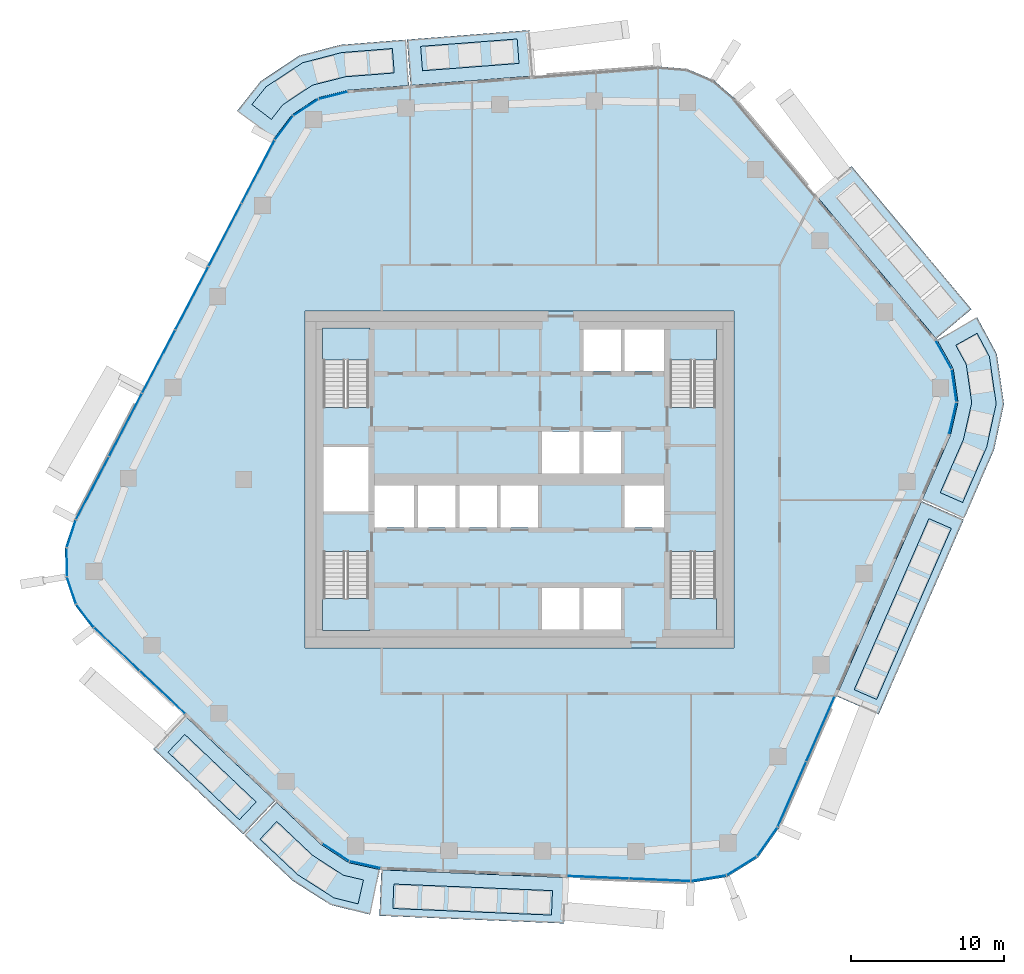
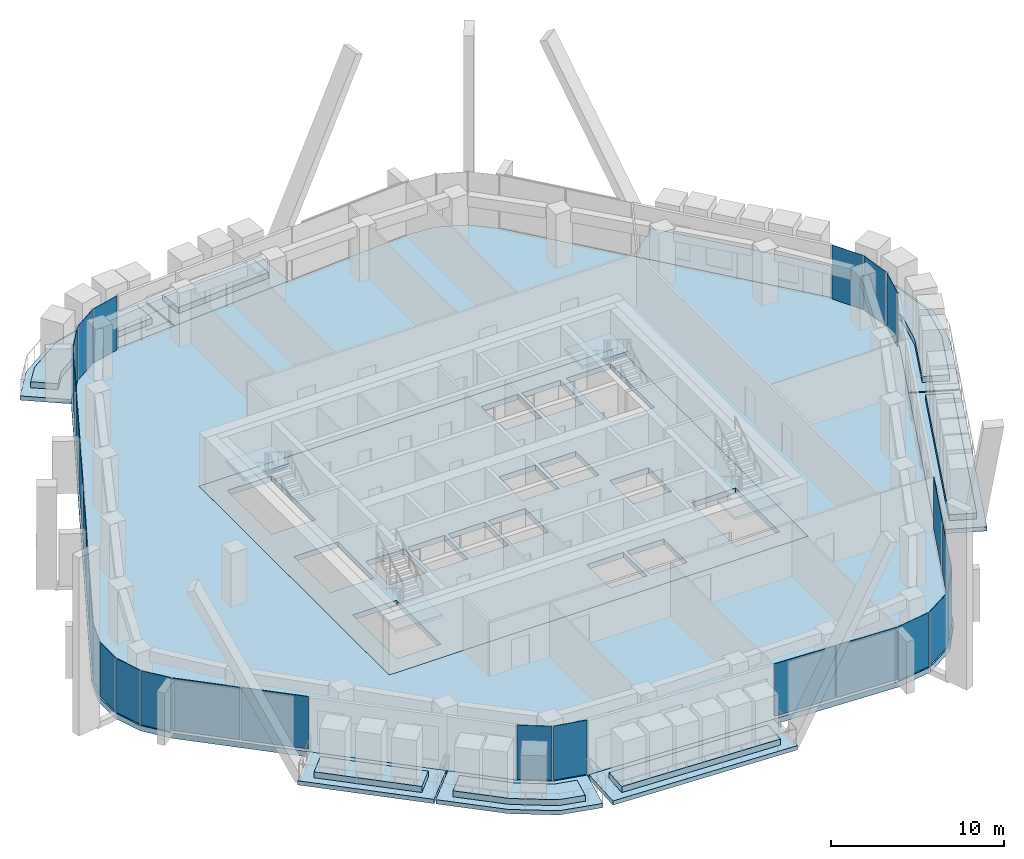
# One storey, part 9 of 20: 27 plates, 21 slabs, 13 elements without a shape of their own.
"""IFC4 building model written with IfcOpenShell, lengths in metres."""

from ifc_helpers import new_model, si_unit, direction, frame, origin, origin_2d, place, context, subcontext, project, spatial, polyline, rectangle, outline, extrude, material, layer, layer_set, type_object, element, aggregate, save


model = new_model("IFC4")

# Units and contexts
model_context = context("Model", 3, precision=1e-05, world=origin(), true_north=direction((0.0, 1.0)))
body_context = subcontext(model_context, "Body", "Model", "MODEL_VIEW")
ifc_project = project(units=[si_unit("LENGTHUNIT", "METRE"), si_unit("AREAUNIT", "SQUARE_METRE"), si_unit("VOLUMEUNIT", "CUBIC_METRE"), si_unit("PLANEANGLEUNIT", "RADIAN"), si_unit("MASSUNIT", "GRAM", prefix="KILO")], contexts=[model_context])

# Site, building, storey
site_placement = place(None, origin())
site = spatial("IfcSite", under=ifc_project, at=site_placement, CompositionType="ELEMENT")
building_placement = place(site_placement, origin())
building = spatial("IfcBuilding", under=site, at=building_placement, Name="Dongbaek Canopy Tower", CompositionType="ELEMENT")
storey_placement = place(building_placement, frame((0.0, 0.0, 241.199951171875)))
storey = spatial("IfcBuildingStorey", under=building, at=storey_placement, Name="L50", CompositionType="ELEMENT", Elevation=241.199951171875)

# Slabs
ifc_material_1 = material(Name="Concrete C40/50", Category="concrete")
ifc_layer_1 = layer(ifc_material_1, 0.300048828125)
ifc_layer_set_1 = layer_set([ifc_layer_1], Name="Balcony slab 300")
slab_type_1 = type_object("IfcSlabType", Name="Balcony slab 300", PredefinedType="FLOOR", material=ifc_layer_set_1)
slab_1_placement = place(storey_placement, frame((0.0, 0.0, -0.300048828125)))
element("IfcSlab", 1, at=slab_1_placement, inside=storey, type_object=slab_type_1, Name="Balcony L50 1", PredefinedType="FLOOR", context=body_context, shape_type="SweptSolid", body=[
    extrude(outline(polyline([(27.212646484375, 9.186279296875), (19.3857421875, 18.523681640625), (21.684814453125, 20.450927734375), (29.51171875, 11.11328125), (27.212646484375, 9.186279296875)])), origin(), (0.0, 0.0, 1.0), 0.300048828125),
])
slab_2_placement = place(storey_placement, frame((0.0, 0.0, -0.300048828125)))
element("IfcSlab", 2, at=slab_2_placement, inside=storey, type_object=slab_type_1, Name="Balcony L50 2", PredefinedType="FLOOR", context=body_context, shape_type="SweptSolid", body=[
    extrude(outline(polyline([(0.887451171875, 26.3408203125), (-7.11083984375, 25.72705078125), (-7.34033203125, 28.71826171875), (0.657958984375, 29.33203125), (0.887451171875, 26.3408203125)])), origin(), (0.0, 0.0, 1.0), 0.300048828125),
])
slab_3_placement = place(storey_placement, frame((0.0, 0.0, -0.300048828125)))
element("IfcSlab", 3, at=slab_3_placement, inside=storey, type_object=slab_type_1, Name="Balcony L50 7", PredefinedType="FLOOR", context=body_context, shape_type="SweptSolid", body=[
    extrude(outline(polyline([(-7.21044921875, 25.719482421875), (-11.209716796875, 25.412353515625), (-13.1640625, 24.92333984375), (-14.84619140625, 23.814697265625), (-16.036376953125, 22.251708984375), (-18.423095703125, 24.069091796875), (-16.89404296875, 26.007080078125), (-14.37060546875, 27.669921875), (-11.6904296875, 28.373779296875), (-7.43994140625, 28.710693359375), (-7.21044921875, 25.719482421875)])), origin(), (0.0, 0.0, 1.0), 0.300048828125),
])
slab_4_placement = place(storey_placement, frame((0.0, 0.0, -0.300048828125)))
element("IfcSlab", 4, at=slab_4_placement, inside=storey, type_object=slab_type_1, Name="Balcony L50 3", PredefinedType="FLOOR", context=body_context, shape_type="SweptSolid", body=[
    extrude(outline(polyline([(-21.855224609375, -15.42236328125), (-15.96044921875, -21.0), (-18.0224609375, -23.17919921875), (-23.917236328125, -17.601318359375), (-21.855224609375, -15.42236328125)])), origin(), (0.0, 0.0, 1.0), 0.300048828125),
])
slab_5_placement = place(storey_placement, frame((0.0, 0.0, -0.300048828125)))
element("IfcSlab", 5, at=slab_5_placement, inside=storey, type_object=slab_type_1, Name="Balcony L50 8", PredefinedType="FLOOR", context=body_context, shape_type="SweptSolid", body=[
    extrude(outline(polyline([(-15.887939453125, -21.06884765625), (-12.9404296875, -23.857666015625), (-11.151123046875, -25.026611328125), (-9.1142578125, -25.4833984375), (-9.770751953125, -28.41064453125), (-12.318359375, -27.790283203125), (-14.79931640625, -26.21240234375), (-17.94970703125, -23.247802734375), (-15.887939453125, -21.06884765625)])), origin(), (0.0, 0.0, 1.0), 0.300048828125),
])
slab_6_placement = place(storey_placement, frame((0.0, 0.0, -0.300048828125)))
element("IfcSlab", 6, at=slab_6_placement, inside=storey, type_object=slab_type_1, Name="Balcony L50 4", PredefinedType="FLOOR", context=body_context, shape_type="SweptSolid", body=[
    extrude(outline(polyline([(-9.015625, -25.496337890625), (3.043701171875, -25.9970703125), (2.91943359375, -28.994384765625), (-9.14013671875, -28.493896484375), (-9.015625, -25.496337890625)])), origin(), (0.0, 0.0, 1.0), 0.300048828125),
])
slab_7_placement = place(storey_placement, frame((0.0, 0.0, -0.300048828125)))
element("IfcSlab", 7, at=slab_7_placement, inside=storey, type_object=slab_type_1, Name="Balcony L50 5", PredefinedType="FLOOR", context=body_context, shape_type="SweptSolid", body=[
    extrude(outline(polyline([(20.69970703125, -14.152099609375), (26.258544921875, -1.426513671875), (29.007568359375, -2.62744140625), (23.448974609375, -15.352783203125), (20.69970703125, -14.152099609375)])), origin(), (0.0, 0.0, 1.0), 0.300048828125),
])
slab_8_placement = place(storey_placement, frame((0.0, 0.0, -0.300048828125)))
element("IfcSlab", 8, at=slab_8_placement, inside=storey, type_object=slab_type_1, Name="Balcony L50 6", PredefinedType="FLOOR", context=body_context, shape_type="SweptSolid", body=[
    extrude(outline(polyline([(26.298583984375, -1.334716796875), (28.144775390625, 2.891845703125), (28.64111328125, 5.04150390625), (28.326904296875, 7.225341796875), (27.269287109375, 9.104248046875), (29.883544921875, 10.575927734375), (31.167236328125, 8.191162109375), (31.638427734375, 4.91552734375), (30.9931640625, 1.94970703125), (29.047607421875, -2.53564453125), (26.298583984375, -1.334716796875)])), origin(), (0.0, 0.0, 1.0), 0.300048828125),
])

# Curtain wall, plates
ifc_material_2 = material(Name="Aluminium 6063-T6 pale anodised", Category="aluminium")
ifc_layer_2 = layer(ifc_material_2, 0.199951171875)
ifc_layer_set_2 = layer_set([ifc_layer_2], Name="CW-1 unitised tower curtain wall")
curtain_wall_type = type_object("IfcCurtainWallType", Name="CW-1 unitised tower curtain wall", PredefinedType="NOTDEFINED", material=ifc_layer_set_2)
curtain_wall_1_placement = place(storey_placement, origin())
curtain_wall_1 = element("IfcCurtainWall", 9, at=curtain_wall_1_placement, inside=storey, type_object=curtain_wall_type, Name="CW-1 curtain wall K0.1", PredefinedType="NOTDEFINED")
ifc_material_3 = material(Name="Clear laminated glass", Category="glass")
ifc_layer_3 = layer(ifc_material_3, 0.028076171875)
ifc_layer_set_3 = layer_set([ifc_layer_3], Name="CW-1 glazed panel 28")
plate_type = type_object("IfcPlateType", Name="CW-1 glazed panel 28", PredefinedType="CURTAIN_PANEL", material=ifc_layer_set_3)
plate_1_placement = place(storey_placement, frame((28.29443359375, 3.984619140625, 0.0), z_axis=(0.0, 0.0, 1.0), x_axis=(0.224987160304, 0.974361728363, 0.0)))
plate_1 = element("IfcPlate", 10, at=plate_1_placement, type_object=plate_type, Name="CW-1 panel K0.1.1.1", PredefinedType="CURTAIN_PANEL", context=body_context, shape_type="SweptSolid", body=[
    extrude(rectangle(XDim=2.09423828125, YDim=0.028076171875, at=origin_2d()), origin(), (0.0, 0.0, 1.0), 3.820068359375),
])
plate_2_placement = place(storey_placement, frame((28.385009765625, 6.119140625, 0.0), z_axis=(0.0, 0.0, 1.0), x_axis=(-0.142403079882, 0.989808750638, 0.0)))
plate_2 = element("IfcPlate", 11, at=plate_2_placement, type_object=plate_type, Name="CW-1 panel K0.1.2.1", PredefinedType="CURTAIN_PANEL", context=body_context, shape_type="SweptSolid", body=[
    extrude(rectangle(XDim=2.0849609375, YDim=0.028076171875, at=origin_2d()), origin(), (0.0, 0.0, 1.0), 3.820068359375),
])
plate_3_placement = place(storey_placement, frame((27.6962890625, 8.1416015625, 0.0), z_axis=(0.0, 0.0, 1.0), x_axis=(-0.490538401675, 0.871419575453, 0.0)))
plate_3 = element("IfcPlate", 12, at=plate_3_placement, type_object=plate_type, Name="CW-1 panel K0.1.3.1", PredefinedType="CURTAIN_PANEL", context=body_context, shape_type="SweptSolid", body=[
    extrude(rectangle(XDim=2.09423828125, YDim=0.028076171875, at=origin_2d()), origin(), (0.0, 0.0, 1.0), 3.820068359375),
])
aggregate(curtain_wall_1, [plate_1, plate_2, plate_3])

curtain_wall_2_placement = place(storey_placement, origin())
curtain_wall_2 = element("IfcCurtainWall", 13, at=curtain_wall_2_placement, inside=storey, type_object=curtain_wall_type, Name="CW-1 curtain wall K2.1", PredefinedType="NOTDEFINED")
plate_4_placement = place(storey_placement, frame((-12.158447265625, 25.072021484375, 0.0), z_axis=(0.0, 0.0, 1.0), x_axis=(-0.970070460405, -0.242823602331, 0.0)))
plate_4 = element("IfcPlate", 14, at=plate_4_placement, type_object=plate_type, Name="CW-1 panel K2.1.1.1", PredefinedType="CURTAIN_PANEL", context=body_context, shape_type="SweptSolid", body=[
    extrude(rectangle(XDim=1.905029296875, YDim=0.028076171875, at=origin_2d()), origin(), (0.0, 0.0, 1.0), 3.820068359375),
])
plate_5_placement = place(storey_placement, frame((-13.949951171875, 24.28564453125, 0.0), z_axis=(0.0, 0.0, 1.0), x_axis=(-0.835012797556, -0.550230522525, 0.0)))
plate_5 = element("IfcPlate", 15, at=plate_5_placement, type_object=plate_type, Name="CW-1 panel K2.1.2.1", PredefinedType="CURTAIN_PANEL", context=body_context, shape_type="SweptSolid", body=[
    extrude(rectangle(XDim=1.896484375, YDim=0.028076171875, at=origin_2d()), origin(), (0.0, 0.0, 1.0), 3.820068359375),
])
plate_6_placement = place(storey_placement, frame((-15.37939453125, 22.949462890625, 0.0), z_axis=(0.0, 0.0, 1.0), x_axis=(-0.605816136858, -0.795604680933, 0.0)))
plate_6 = element("IfcPlate", 16, at=plate_6_placement, type_object=plate_type, Name="CW-1 panel K2.1.3.1", PredefinedType="CURTAIN_PANEL", context=body_context, shape_type="SweptSolid", body=[
    extrude(rectangle(XDim=1.905029296875, YDim=0.028076171875, at=origin_2d()), origin(), (0.0, 0.0, 1.0), 3.820068359375),
])
aggregate(curtain_wall_2, [plate_4, plate_5, plate_6])

curtain_wall_3_placement = place(storey_placement, origin())
curtain_wall_3 = element("IfcCurtainWall", 17, at=curtain_wall_3_placement, inside=storey, type_object=curtain_wall_type, Name="CW-1 curtain wall F2.1", PredefinedType="NOTDEFINED")
plate_7_placement = place(storey_placement, frame((-17.06201171875, 20.093994140625, 0.1201171875), z_axis=(0.0, 0.0, 1.0), x_axis=(-0.463648721803, -0.886019109709, 0.0)))
plate_7 = element("IfcPlate", 18, at=plate_7_placement, type_object=plate_type, Name="CW-1 panel F2.1.1.1", PredefinedType="CURTAIN_PANEL", context=body_context, shape_type="SweptSolid", body=[
    extrude(rectangle(XDim=4.5751953125, YDim=0.028076171875, at=origin_2d()), origin(), (0.0, 0.0, 1.0), 3.699951171875),
])
plate_8_placement = place(storey_placement, frame((-19.22412109375, 15.962158203125, 0.1201171875), z_axis=(0.0, 0.0, 1.0), x_axis=(-0.463648721803, -0.886019109709, 0.0)))
plate_8 = element("IfcPlate", 19, at=plate_8_placement, type_object=plate_type, Name="CW-1 panel F2.1.2.1", PredefinedType="CURTAIN_PANEL", context=body_context, shape_type="SweptSolid", body=[
    extrude(rectangle(XDim=4.58349609375, YDim=0.028076171875, at=origin_2d()), origin(), (0.0, 0.0, 1.0), 3.699951171875),
])
plate_9_placement = place(storey_placement, frame((-21.388427734375, 11.82666015625, 0.1201171875), z_axis=(0.0, 0.0, 1.0), x_axis=(-0.463648721803, -0.886019109709, 0.0)))
plate_9 = element("IfcPlate", 20, at=plate_9_placement, type_object=plate_type, Name="CW-1 panel F2.1.3.1", PredefinedType="CURTAIN_PANEL", context=body_context, shape_type="SweptSolid", body=[
    extrude(rectangle(XDim=4.58349609375, YDim=0.028076171875, at=origin_2d()), origin(), (0.0, 0.0, 1.0), 3.699951171875),
])
plate_10_placement = place(storey_placement, frame((-23.552490234375, 7.691162109375, 0.1201171875), z_axis=(0.0, 0.0, 1.0), x_axis=(-0.463648721803, -0.886019109709, 0.0)))
plate_10 = element("IfcPlate", 21, at=plate_10_placement, type_object=plate_type, Name="CW-1 panel F2.1.4.1", PredefinedType="CURTAIN_PANEL", context=body_context, shape_type="SweptSolid", body=[
    extrude(rectangle(XDim=4.58349609375, YDim=0.028076171875, at=origin_2d()), origin(), (0.0, 0.0, 1.0), 3.699951171875),
])
plate_11_placement = place(storey_placement, frame((-25.716552734375, 3.5556640625, 0.1201171875), z_axis=(0.0, 0.0, 1.0), x_axis=(-0.463648721803, -0.886019109709, 0.0)))
plate_11 = element("IfcPlate", 22, at=plate_11_placement, type_object=plate_type, Name="CW-1 panel F2.1.5.1", PredefinedType="CURTAIN_PANEL", context=body_context, shape_type="SweptSolid", body=[
    extrude(rectangle(XDim=4.58349609375, YDim=0.028076171875, at=origin_2d()), origin(), (0.0, 0.0, 1.0), 3.699951171875),
])
plate_12_placement = place(storey_placement, frame((-27.87890625, -0.576416015625, 0.1201171875), z_axis=(0.0, 0.0, 1.0), x_axis=(-0.463648721803, -0.886019109709, 0.0)))
plate_12 = element("IfcPlate", 23, at=plate_12_placement, type_object=plate_type, Name="CW-1 panel F2.1.6.1", PredefinedType="CURTAIN_PANEL", context=body_context, shape_type="SweptSolid", body=[
    extrude(rectangle(XDim=4.575439453125, YDim=0.028076171875, at=origin_2d()), origin(), (0.0, 0.0, 1.0), 3.699951171875),
])
aggregate(curtain_wall_3, [plate_7, plate_8, plate_9, plate_10, plate_11, plate_12])

curtain_wall_4_placement = place(storey_placement, origin())
curtain_wall_4 = element("IfcCurtainWall", 24, at=curtain_wall_4_placement, inside=storey, type_object=curtain_wall_type, Name="CW-1 curtain wall K3.1", PredefinedType="NOTDEFINED")
plate_13_placement = place(storey_placement, frame((-29.259521484375, -3.546875, 0.0), z_axis=(0.0, 0.0, 1.0), x_axis=(-0.314772787668, -0.949167051758, 0.0)))
plate_13 = element("IfcPlate", 25, at=plate_13_placement, type_object=plate_type, Name="CW-1 panel K3.1.1.1", PredefinedType="CURTAIN_PANEL", context=body_context, shape_type="SweptSolid", body=[
    extrude(rectangle(XDim=1.82568359375, YDim=0.028076171875, at=origin_2d()), origin(), (0.0, 0.0, 1.0), 3.820068359375),
])
plate_14_placement = place(storey_placement, frame((-29.556640625, -5.404052734375, 0.0), z_axis=(0.0, 0.0, 1.0), x_axis=(0.003565980648, -0.999993641871, 0.0)))
plate_14 = element("IfcPlate", 26, at=plate_14_placement, type_object=plate_type, Name="CW-1 panel K3.1.2.1", PredefinedType="CURTAIN_PANEL", context=body_context, shape_type="SweptSolid", body=[
    extrude(rectangle(XDim=1.817626953125, YDim=0.028076171875, at=origin_2d()), origin(), (0.0, 0.0, 1.0), 3.820068359375),
])
plate_15_placement = place(storey_placement, frame((-29.24755859375, -7.255126953125, 0.0), z_axis=(0.0, 0.0, 1.0), x_axis=(0.321534161849, -0.946897979068, 0.0)))
plate_15 = element("IfcPlate", 27, at=plate_15_placement, type_object=plate_type, Name="CW-1 panel K3.1.3.1", PredefinedType="CURTAIN_PANEL", context=body_context, shape_type="SweptSolid", body=[
    extrude(rectangle(XDim=1.817626953125, YDim=0.028076171875, at=origin_2d()), origin(), (0.0, 0.0, 1.0), 3.820068359375),
])
plate_16_placement = place(storey_placement, frame((-28.36328125, -8.914794921875, 0.0), z_axis=(0.0, 0.0, 1.0), x_axis=(0.606087576122, -0.795397919328, 0.0)))
plate_16 = element("IfcPlate", 28, at=plate_16_placement, type_object=plate_type, Name="CW-1 panel K3.1.4.1", PredefinedType="CURTAIN_PANEL", context=body_context, shape_type="SweptSolid", body=[
    extrude(rectangle(XDim=1.82568359375, YDim=0.028076171875, at=origin_2d()), origin(), (0.0, 0.0, 1.0), 3.820068359375),
])
aggregate(curtain_wall_4, [plate_13, plate_14, plate_15, plate_16])

curtain_wall_5_placement = place(storey_placement, origin())
curtain_wall_5 = element("IfcCurtainWall", 29, at=curtain_wall_5_placement, inside=storey, type_object=curtain_wall_type, Name="CW-1 curtain wall F3.1", PredefinedType="NOTDEFINED")
plate_17_placement = place(storey_placement, frame((-26.29541015625, -11.083251953125, 0.1201171875), z_axis=(0.0, 0.0, 1.0), x_axis=(0.72636898402, -0.687304953463, 0.0)))
plate_17 = element("IfcPlate", 30, at=plate_17_placement, type_object=plate_type, Name="CW-1 panel F3.1.1.1", PredefinedType="CURTAIN_PANEL", context=body_context, shape_type="SweptSolid", body=[
    extrude(rectangle(XDim=4.015625, YDim=0.028076171875, at=origin_2d()), origin(), (0.0, 0.0, 1.0), 3.699951171875),
])
plate_18_placement = place(storey_placement, frame((-23.314697265625, -13.903564453125, 0.1201171875), z_axis=(0.0, 0.0, 1.0), x_axis=(0.72636898402, -0.687304953463, 0.0)))
plate_18 = element("IfcPlate", 31, at=plate_18_placement, type_object=plate_type, Name="CW-1 panel F3.1.2.1", PredefinedType="CURTAIN_PANEL", context=body_context, shape_type="SweptSolid", body=[
    extrude(rectangle(XDim=4.023681640625, YDim=0.028076171875, at=origin_2d()), origin(), (0.0, 0.0, 1.0), 3.699951171875),
])
aggregate(curtain_wall_5, [plate_17, plate_18])

curtain_wall_6_placement = place(storey_placement, origin())
curtain_wall_6 = element("IfcCurtainWall", 32, at=curtain_wall_6_placement, inside=storey, type_object=curtain_wall_type, Name="CW-1 curtain wall K4.1", PredefinedType="NOTDEFINED")
plate_19_placement = place(storey_placement, frame((-11.994873046875, -24.35595703125, 0.0), z_axis=(0.0, 0.0, 1.0), x_axis=(0.837173027696, -0.546938133338, 0.0)))
plate_19 = element("IfcPlate", 33, at=plate_19_placement, type_object=plate_type, Name="CW-1 panel K4.1.1.1", PredefinedType="CURTAIN_PANEL", context=body_context, shape_type="SweptSolid", body=[
    extrude(rectangle(XDim=2.0263671875, YDim=0.028076171875, at=origin_2d()), origin(), (0.0, 0.0, 1.0), 3.820068359375),
])
plate_20_placement = place(storey_placement, frame((-10.08203125, -25.163818359375, 0.0), z_axis=(0.0, 0.0, 1.0), x_axis=(0.975774438515, -0.218778986972, 0.0)))
plate_20 = element("IfcPlate", 34, at=plate_20_placement, type_object=plate_type, Name="CW-1 panel K4.1.2.1", PredefinedType="CURTAIN_PANEL", context=body_context, shape_type="SweptSolid", body=[
    extrude(rectangle(XDim=2.0263671875, YDim=0.028076171875, at=origin_2d()), origin(), (0.0, 0.0, 1.0), 3.820068359375),
])
aggregate(curtain_wall_6, [plate_19, plate_20])

curtain_wall_7_placement = place(storey_placement, origin())
curtain_wall_7 = element("IfcCurtainWall", 35, at=curtain_wall_7_placement, inside=storey, type_object=curtain_wall_type, Name="CW-1 curtain wall F4.1", PredefinedType="NOTDEFINED")
plate_21_placement = place(storey_placement, frame((5.12451171875, -25.9833984375, 0.1201171875), z_axis=(0.0, 0.0, 1.0), x_axis=(0.999139279832, -0.041481315027, 0.0)))
plate_21 = element("IfcPlate", 36, at=plate_21_placement, type_object=plate_type, Name="CW-1 panel F4.1.1.1", PredefinedType="CURTAIN_PANEL", context=body_context, shape_type="SweptSolid", body=[
    extrude(rectangle(XDim=3.97265625, YDim=0.028076171875, at=origin_2d()), origin(), (0.0, 0.0, 1.0), 3.699951171875),
])
plate_22_placement = place(storey_placement, frame((9.172607421875, -26.1513671875, 0.1201171875), z_axis=(0.0, 0.0, 1.0), x_axis=(0.999139279832, -0.041481315027, 0.0)))
plate_22 = element("IfcPlate", 37, at=plate_22_placement, type_object=plate_type, Name="CW-1 panel F4.1.2.1", PredefinedType="CURTAIN_PANEL", context=body_context, shape_type="SweptSolid", body=[
    extrude(rectangle(XDim=3.962646484375, YDim=0.028076171875, at=origin_2d()), origin(), (0.0, 0.0, 1.0), 3.699951171875),
])
aggregate(curtain_wall_7, [plate_21, plate_22])

curtain_wall_8_placement = place(storey_placement, origin())
curtain_wall_8 = element("IfcCurtainWall", 38, at=curtain_wall_8_placement, inside=storey, type_object=curtain_wall_type, Name="CW-1 curtain wall K5.1", PredefinedType="NOTDEFINED")
plate_23_placement = place(storey_placement, frame((12.356689453125, -26.04931640625, 0.0), z_axis=(0.0, 0.0, 1.0), x_axis=(0.987452229551, 0.157917998831, 0.0)))
plate_23 = element("IfcPlate", 39, at=plate_23_placement, type_object=plate_type, Name="CW-1 panel K5.1.1.1", PredefinedType="CURTAIN_PANEL", context=body_context, shape_type="SweptSolid", body=[
    extrude(rectangle(XDim=2.2705078125, YDim=0.028076171875, at=origin_2d()), origin(), (0.0, 0.0, 1.0), 3.820068359375),
])
plate_24_placement = place(storey_placement, frame((14.51318359375, -25.2421875, 0.0), z_axis=(0.0, 0.0, 1.0), x_axis=(0.847927997498, 0.530111413817, 0.0)))
plate_24 = element("IfcPlate", 40, at=plate_24_placement, type_object=plate_type, Name="CW-1 panel K5.1.2.1", PredefinedType="CURTAIN_PANEL", context=body_context, shape_type="SweptSolid", body=[
    extrude(rectangle(XDim=2.26025390625, YDim=0.028076171875, at=origin_2d()), origin(), (0.0, 0.0, 1.0), 3.820068359375),
])
plate_25_placement = place(storey_placement, frame((16.183349609375, -23.656982421875, 0.0), z_axis=(0.0, 0.0, 1.0), x_axis=(0.574435424311, 0.818549902753, 0.0)))
plate_25 = element("IfcPlate", 41, at=plate_25_placement, type_object=plate_type, Name="CW-1 panel K5.1.3.1", PredefinedType="CURTAIN_PANEL", context=body_context, shape_type="SweptSolid", body=[
    extrude(rectangle(XDim=2.2705078125, YDim=0.028076171875, at=origin_2d()), origin(), (0.0, 0.0, 1.0), 3.820068359375),
])
aggregate(curtain_wall_8, [plate_23, plate_24, plate_25])

curtain_wall_9_placement = place(storey_placement, origin())
curtain_wall_9 = element("IfcCurtainWall", 42, at=curtain_wall_9_placement, inside=storey, type_object=curtain_wall_type, Name="CW-1 curtain wall F5.1", PredefinedType="NOTDEFINED")
plate_26_placement = place(storey_placement, frame((17.790771484375, -20.561767578125, 0.1201171875), z_axis=(0.0, 0.0, 1.0), x_axis=(0.400295417584, 0.9163861515, 0.0)))
plate_26 = element("IfcPlate", 43, at=plate_26_placement, type_object=plate_type, Name="CW-1 panel F5.1.1.1", PredefinedType="CURTAIN_PANEL", context=body_context, shape_type="SweptSolid", body=[
    extrude(rectangle(XDim=4.568115234375, YDim=0.028076171875, at=origin_2d()), origin(), (0.0, 0.0, 1.0), 3.699951171875),
])
plate_27_placement = place(storey_placement, frame((19.655029296875, -16.2939453125, 0.1201171875), z_axis=(0.0, 0.0, 1.0), x_axis=(0.400295417584, 0.9163861515, 0.0)))
plate_27 = element("IfcPlate", 44, at=plate_27_placement, type_object=plate_type, Name="CW-1 panel F5.1.2.1", PredefinedType="CURTAIN_PANEL", context=body_context, shape_type="SweptSolid", body=[
    extrude(rectangle(XDim=4.578125, YDim=0.028076171875, at=origin_2d()), origin(), (0.0, 0.0, 1.0), 3.699951171875),
])
aggregate(curtain_wall_9, [plate_26, plate_27])

# Slab
ifc_material_4 = material(Name="Concrete C40/50", Category="concrete")
ifc_layer_4 = layer(ifc_material_4, 0.3798828125)
ifc_layer_set_4 = layer_set([ifc_layer_4], Name="Core floor slab 380 Concrete C40/50")
slab_type_2 = type_object("IfcSlabType", Name="Core floor slab 380 Concrete C40/50", PredefinedType="FLOOR", material=ifc_layer_set_4)
slab_9_placement = place(storey_placement, frame((0.0, 0.0, -0.3798828125)))
element("IfcSlab", 45, at=slab_9_placement, inside=storey, type_object=slab_type_2, Name="Core floor slab L50", PredefinedType="FLOOR", context=body_context, shape_type="SweptSolid", body=[
    extrude(outline(polyline([(14.0, -11.0), (14.0, 11.0), (-14.0, 11.0), (-14.0, -11.0), (14.0, -11.0)]), holes=[polyline([(-12.800048828125, 2.10009765625), (-9.85009765625, 2.10009765625), (-9.85009765625, -2.10009765625), (-12.800048828125, -2.10009765625), (-12.800048828125, 2.10009765625)]), polyline([(6.625, 9.800048828125), (6.625, 7.074951171875), (4.175048828125, 7.074951171875), (4.175048828125, 9.800048828125), (6.625, 9.800048828125)]), polyline([(9.449951171875, 7.074951171875), (6.875, 7.074951171875), (6.875, 9.800048828125), (9.449951171875, 9.800048828125), (9.449951171875, 7.074951171875)]), polyline([(1.47509765625, 0.39990234375), (1.47509765625, 3.125), (3.925048828125, 3.125), (3.925048828125, 0.39990234375), (1.47509765625, 0.39990234375)]), polyline([(4.175048828125, 0.39990234375), (4.175048828125, 3.125), (6.625, 3.125), (6.625, 0.39990234375), (4.175048828125, 0.39990234375)]), polyline([(-9.449951171875, -0.39990234375), (-6.875, -0.39990234375), (-6.875, -3.125), (-9.449951171875, -3.125), (-9.449951171875, -0.39990234375)]), polyline([(-6.625, -3.125), (-6.625, -0.39990234375), (-4.175048828125, -0.39990234375), (-4.175048828125, -3.125), (-6.625, -3.125)]), polyline([(-3.925048828125, -3.125), (-3.925048828125, -0.39990234375), (-1.47509765625, -0.39990234375), (-1.47509765625, -3.125), (-3.925048828125, -3.125)]), polyline([(-1.22509765625, -3.125), (-1.22509765625, -0.39990234375), (1.22509765625, -0.39990234375), (1.22509765625, -3.125), (-1.22509765625, -3.125)]), polyline([(9.449951171875, -3.125), (6.875, -3.125), (6.875, -0.39990234375), (9.449951171875, -0.39990234375), (9.449951171875, -3.125)]), polyline([(1.47509765625, -9.800048828125), (1.47509765625, -7.074951171875), (3.925048828125, -7.074951171875), (3.925048828125, -9.800048828125), (1.47509765625, -9.800048828125)]), polyline([(4.175048828125, -9.800048828125), (4.175048828125, -7.074951171875), (6.625, -7.074951171875), (6.625, -9.800048828125), (4.175048828125, -9.800048828125)]), polyline([(12.800048828125, 4.70068359375), (12.800048828125, 9.800048828125), (9.85009765625, 9.800048828125), (9.85009765625, 4.70068359375), (12.800048828125, 4.70068359375)]), polyline([(-9.85009765625, 4.70068359375), (-9.85009765625, 9.800048828125), (-12.800048828125, 9.800048828125), (-12.800048828125, 4.70068359375), (-9.85009765625, 4.70068359375)]), polyline([(9.85009765625, -4.70068359375), (9.85009765625, -9.800048828125), (12.800048828125, -9.800048828125), (12.800048828125, -4.70068359375), (9.85009765625, -4.70068359375)]), polyline([(-12.800048828125, -4.70068359375), (-12.800048828125, -9.800048828125), (-9.85009765625, -9.800048828125), (-9.85009765625, -4.70068359375), (-12.800048828125, -4.70068359375)])]), origin(), (0.0, 0.0, 1.0), 0.3798828125),
])

# Stair, slab
ifc_material_5 = material(Name="Concrete C40/50", Category="concrete")
stair_type = type_object("IfcStairType", Name="Core exit stair", PredefinedType="HALF_TURN_STAIR", material=ifc_material_5)
stair_1_placement = place(storey_placement, origin())
stair_1 = element("IfcStair", 46, at=stair_1_placement, inside=storey, type_object=stair_type, Name="L50 exit stair A", PredefinedType="HALF_TURN_STAIR")
ifc_material_6 = material(Name="Concrete C40/50", Category="concrete")
ifc_layer_5 = layer(ifc_material_6, 0.199951171875)
ifc_layer_set_5 = layer_set([ifc_layer_5], Name="Core stair landing 200")
slab_type_3 = type_object("IfcSlabType", Name="Core stair landing 200", PredefinedType="LANDING", material=ifc_layer_set_5)
slab_10_placement = place(storey_placement, frame((0.0, 0.0, 1.900146484375)))
slab_10 = element("IfcSlab", 47, at=slab_10_placement, type_object=slab_type_3, Name="ST-A landing 1", PredefinedType="LANDING", context=body_context, shape_type="SweptSolid", body=[
    extrude(outline(polyline([(12.875, 7.780029296875), (12.875, 9.875), (9.77490234375, 9.875), (9.77490234375, 7.780029296875), (12.875, 7.780029296875)])), origin(), (0.0, 0.0, 1.0), 0.199951171875),
])
aggregate(stair_1, [slab_10])

stair_2_placement = place(storey_placement, origin())
stair_2 = element("IfcStair", 48, at=stair_2_placement, inside=storey, type_object=stair_type, Name="L50 exit stair C", PredefinedType="HALF_TURN_STAIR")
slab_11_placement = place(storey_placement, frame((0.0, 0.0, 1.900146484375)))
slab_11 = element("IfcSlab", 49, at=slab_11_placement, type_object=slab_type_3, Name="ST-C landing 1", PredefinedType="LANDING", context=body_context, shape_type="SweptSolid", body=[
    extrude(outline(polyline([(-9.77490234375, 7.780029296875), (-9.77490234375, 9.875), (-12.875, 9.875), (-12.875, 7.780029296875), (-9.77490234375, 7.780029296875)])), origin(), (0.0, 0.0, 1.0), 0.199951171875),
])
aggregate(stair_2, [slab_11])

stair_3_placement = place(storey_placement, origin())
stair_3 = element("IfcStair", 50, at=stair_3_placement, inside=storey, type_object=stair_type, Name="L50 exit stair B", PredefinedType="HALF_TURN_STAIR")
slab_12_placement = place(storey_placement, frame((0.0, 0.0, 1.900146484375)))
slab_12 = element("IfcSlab", 51, at=slab_12_placement, type_object=slab_type_3, Name="ST-B landing 1", PredefinedType="LANDING", context=body_context, shape_type="SweptSolid", body=[
    extrude(outline(polyline([(9.77490234375, -7.780029296875), (9.77490234375, -9.875), (12.875, -9.875), (12.875, -7.780029296875), (9.77490234375, -7.780029296875)])), origin(), (0.0, 0.0, 1.0), 0.199951171875),
])
aggregate(stair_3, [slab_12])

stair_4_placement = place(storey_placement, origin())
stair_4 = element("IfcStair", 52, at=stair_4_placement, inside=storey, type_object=stair_type, Name="L50 exit stair D", PredefinedType="HALF_TURN_STAIR")
slab_13_placement = place(storey_placement, frame((0.0, 0.0, 1.900146484375)))
slab_13 = element("IfcSlab", 53, at=slab_13_placement, type_object=slab_type_3, Name="ST-D landing 1", PredefinedType="LANDING", context=body_context, shape_type="SweptSolid", body=[
    extrude(outline(polyline([(-12.875, -7.780029296875), (-12.875, -9.875), (-9.77490234375, -9.875), (-9.77490234375, -7.780029296875), (-12.875, -7.780029296875)])), origin(), (0.0, 0.0, 1.0), 0.199951171875),
])
aggregate(stair_4, [slab_13])

# Slabs
ifc_material_7 = material(Name="Concrete C40", Category="concrete")
ifc_layer_6 = layer(ifc_material_7, 0.3798828125)
ifc_layer_set_6 = layer_set([ifc_layer_6], Name="RC FLAT PLATE 380 Concrete C40")
slab_type_4 = type_object("IfcSlabType", Name="RC FLAT PLATE 380 Concrete C40", PredefinedType="FLOOR", material=ifc_layer_set_6)
slab_14_placement = place(storey_placement, frame((0.0, 0.0, -0.3798828125)))
element("IfcSlab", 54, at=slab_14_placement, inside=storey, type_object=slab_type_4, Name="SLAB:L50", PredefinedType="FLOOR", context=body_context, shape_type="SweptSolid", body=[
    extrude(outline(polyline([(16.947265625, -22.74267578125), (15.5771484375, -24.69482421875), (13.554931640625, -25.958984375), (11.199951171875, -26.335693359375), (-9.065673828125, -25.494384765625), (-11.151123046875, -25.026611328125), (-12.9404296875, -23.857666015625), (-27.85888671875, -9.741455078125), (-29.03125, -8.202880859375), (-29.6533203125, -6.37158203125), (-29.66015625, -4.437255859375), (-29.05126953125, -2.601318359375), (-16.066650390625, 22.2119140625), (-14.84619140625, 23.814697265625), (-13.1640625, 24.92333984375), (-11.209716796875, 25.41259765625), (9.035400390625, 26.966064453125), (10.9208984375, 26.811767578125), (12.664306640625, 26.078125), (14.0927734375, 24.838134765625), (27.24462890625, 9.14794921875), (28.326904296875, 7.225341796875), (28.64111328125, 5.04150390625), (28.144775390625, 2.891845703125), (16.947265625, -22.74267578125)]), holes=[polyline([(14.0, 11.0), (-14.0, 11.0), (-14.0, -11.0), (14.0, -11.0), (14.0, 11.0)])]), origin(), (0.0, 0.0, 1.0), 0.3798828125),
])
ifc_material_8 = material(Name="Reinforced concrete C40/50 planter box with soil", Category="concrete")
ifc_layer_7 = layer(ifc_material_8, 0.419921875)
ifc_layer_set_7 = layer_set([ifc_layer_7], Name="Terrace planter box 1600 x 420")
slab_type_5 = type_object("IfcSlabType", Name="Terrace planter box 1600 x 420", PredefinedType="USERDEFINED", material=ifc_layer_set_7)
slab_15_placement = place(storey_placement, origin())
element("IfcSlab", 55, at=slab_15_placement, inside=storey, type_object=slab_type_5, Name="Balcony planter L50 2", ObjectType="PLANTER", PredefinedType="USERDEFINED", context=body_context, shape_type="SweptSolid", body=[
    extrude(outline(polyline([(-0.028076171875, 27.1630859375), (-6.331298828125, 26.679443359375), (-6.453857421875, 28.274658203125), (-0.150390625, 28.758544921875), (-0.028076171875, 27.1630859375)])), origin(), (0.0, 0.0, 1.0), 0.420166015625),
])
slab_16_placement = place(storey_placement, origin())
element("IfcSlab", 56, at=slab_16_placement, inside=storey, type_object=slab_type_5, Name="Balcony planter L50 7", ObjectType="PLANTER", PredefinedType="USERDEFINED", context=body_context, shape_type="SweptSolid", body=[
    extrude(outline(polyline([(-8.176025390625, 26.537841796875), (-11.352294921875, 26.291015625), (-13.52197265625, 25.738037109375), (-15.45361328125, 24.465087890625), (-16.19921875, 23.5068359375), (-17.47216796875, 24.476318359375), (-16.5458984375, 25.634521484375), (-14.16552734375, 27.202880859375), (-11.608642578125, 27.870361328125), (-8.29833984375, 28.13330078125), (-8.176025390625, 26.537841796875)])), origin(), (0.0, 0.0, 1.0), 0.420166015625),
])
slab_17_placement = place(storey_placement, origin())
element("IfcSlab", 57, at=slab_17_placement, inside=storey, type_object=slab_type_5, Name="Balcony planter L50 3", ObjectType="PLANTER", PredefinedType="USERDEFINED", context=body_context, shape_type="SweptSolid", body=[
    extrude(outline(polyline([(-21.849609375, -16.653076171875), (-17.189697265625, -21.062255859375), (-18.289306640625, -22.224609375), (-22.94921875, -17.815185546875), (-21.849609375, -16.653076171875)])), origin(), (0.0, 0.0, 1.0), 0.420166015625),
])
slab_18_placement = place(storey_placement, origin())
element("IfcSlab", 58, at=slab_18_placement, inside=storey, type_object=slab_type_5, Name="Balcony planter L50 8", ObjectType="PLANTER", PredefinedType="USERDEFINED", context=body_context, shape_type="SweptSolid", body=[
    extrude(outline(polyline([(-15.845947265625, -22.333740234375), (-13.491943359375, -24.55615234375), (-11.49755859375, -25.846435546875), (-10.187255859375, -26.15478515625), (-10.537353515625, -27.716064453125), (-12.119873046875, -27.320556640625), (-14.4833984375, -25.81201171875), (-16.945556640625, -23.49609375), (-15.845947265625, -22.333740234375)])), origin(), (0.0, 0.0, 1.0), 0.420166015625),
])
slab_19_placement = place(storey_placement, origin())
element("IfcSlab", 59, at=slab_19_placement, inside=storey, type_object=slab_type_5, Name="Balcony planter L50 4", ObjectType="PLANTER", PredefinedType="USERDEFINED", context=body_context, shape_type="SweptSolid", body=[
    extrude(outline(polyline([(-8.203369140625, -26.4208984375), (2.15771484375, -26.85107421875), (2.09130859375, -28.44970703125), (-8.26953125, -28.01953125), (-8.203369140625, -26.4208984375)])), origin(), (0.0, 0.0, 1.0), 0.420166015625),
])
slab_20_placement = place(storey_placement, origin())
element("IfcSlab", 60, at=slab_20_placement, inside=storey, type_object=slab_type_5, Name="Balcony planter L50 5", ObjectType="PLANTER", PredefinedType="USERDEFINED", context=body_context, shape_type="SweptSolid", body=[
    extrude(outline(polyline([(21.85546875, -13.729248046875), (26.73388671875, -2.5615234375), (28.199951171875, -3.2021484375), (23.32177734375, -14.369873046875), (21.85546875, -13.729248046875)])), origin(), (0.0, 0.0, 1.0), 0.420166015625),
])
slab_21_placement = place(storey_placement, origin())
element("IfcSlab", 61, at=slab_21_placement, inside=storey, type_object=slab_type_5, Name="Balcony planter L50 6", ObjectType="PLANTER", PredefinedType="USERDEFINED", context=body_context, shape_type="SweptSolid", body=[
    extrude(outline(polyline([(27.474365234375, -0.8662109375), (28.98974609375, 2.6123046875), (29.5302734375, 5.004150390625), (29.169677734375, 7.51171875), (28.486328125, 8.756591796875), (29.880615234375, 9.54150390625), (30.684326171875, 8.02685546875), (31.12890625, 4.936767578125), (30.5087890625, 2.10986328125), (28.940673828125, -1.5068359375), (27.474365234375, -0.8662109375)])), origin(), (0.0, 0.0, 1.0), 0.420166015625),
])

save(model, "model.ifc")
